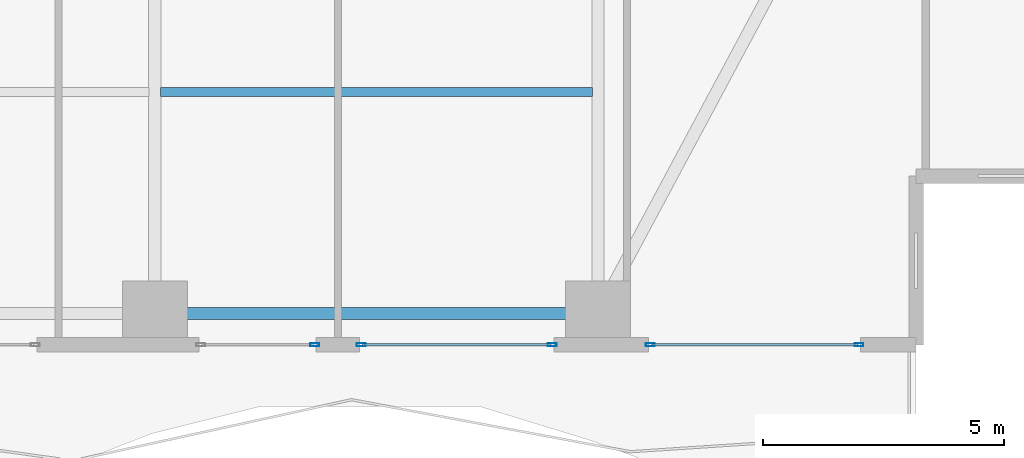
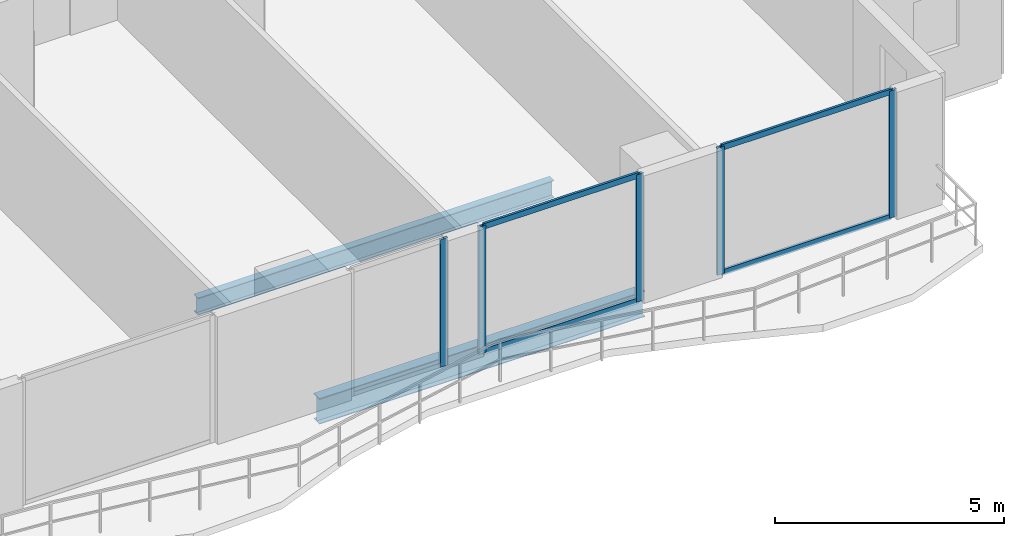
# One storey, part 9 of 29: 9 members, 2 beams, 3 elements without a shape of their own.
"""IFC4 building model written with IfcOpenShell, lengths in metres."""

from ifc_helpers import new_model, si_unit, direction, frame, origin, origin_2d, place, context, subcontext, project, spatial, hollow_rectangle, i_section, extrude, material, layer, layer_set, material_profile, profile_set, type_object, element, aggregate, save


model = new_model("IFC4")

# Units and contexts
model_context = context("Model", 3, precision=1e-05, world=origin(), true_north=direction((0.0, 1.0)))
body_context = subcontext(model_context, "Body", "Model", "MODEL_VIEW")
ifc_project = project(units=[si_unit("LENGTHUNIT", "METRE"), si_unit("AREAUNIT", "SQUARE_METRE"), si_unit("VOLUMEUNIT", "CUBIC_METRE"), si_unit("PLANEANGLEUNIT", "RADIAN"), si_unit("MASSUNIT", "GRAM", prefix="KILO")], contexts=[model_context])

# Site, building, storey
site_placement = place(None, origin())
site = spatial("IfcSite", under=ifc_project, at=site_placement, CompositionType="ELEMENT")
building_placement = place(site_placement, origin())
building = spatial("IfcBuilding", under=site, at=building_placement, Name="Zuhayl Quay Hotel", CompositionType="ELEMENT")
storey_placement = place(building_placement, frame((0.0, 0.0, 158.550048828125)))
storey = spatial("IfcBuildingStorey", under=building, at=storey_placement, Name="L40", CompositionType="ELEMENT", Elevation=158.550048828125)

# Beams
ifc_material_1 = material(Name="Steel ASTM A992 Grade 50", Category="steel")
ifc_material_profile_1 = material_profile(ifc_material_1, i_section(OverallWidth=0.25390625, OverallDepth=0.68310546875, WebThickness=0.012451171875, FlangeThickness=0.018798828125, at=origin_2d()), Name="W27X94")
ifc_profile_set_1 = profile_set([ifc_material_profile_1], Name="Steel ASTM A992 Grade 50")
beam_type_1 = type_object("IfcBeamType", Name="BM_B2_W27X94", PredefinedType="BEAM", material=ifc_profile_set_1)
beam_1_placement = place(storey_placement, frame((5.10009765625, -14.75, -0.5615234375), z_axis=(1.0, 0.0, 0.0), x_axis=(0.0, 1.0, 0.0)))
element("IfcBeam", 1, at=beam_1_placement, inside=storey, type_object=beam_type_1, Name="L40 Floor Beam RG_L40_03", PredefinedType="BEAM", context=body_context, shape_type="SweptSolid", body=[
    extrude(i_section(OverallWidth=0.25390625, OverallDepth=0.68310546875, WebThickness=0.012451171875, FlangeThickness=0.018798828125, at=origin_2d()), origin(), (0.0, 0.0, 1.0), 8.199951171875),
])
ifc_material_profile_2 = material_profile(ifc_material_1, i_section(OverallWidth=0.18994140625, OverallDepth=0.45703125, WebThickness=0.009033203125, FlangeThickness=0.014404296875, at=origin_2d()), Name="W18X50")
ifc_profile_set_2 = profile_set([ifc_material_profile_2], Name="Steel ASTM A992 Grade 50")
beam_type_2 = type_object("IfcBeamType", Name="BM_J2_W18X50", PredefinedType="JOIST", material=ifc_profile_set_2)
beam_2_placement = place(storey_placement, frame((4.718994140625, -10.14990234375, -0.448486328125), z_axis=(1.0, 0.0, 0.0), x_axis=(0.0, 1.0, 0.0)))
element("IfcBeam", 2, at=beam_2_placement, inside=storey, type_object=beam_type_2, Name="L40 Floor Beam FJ_L40_5_3", PredefinedType="JOIST", context=body_context, shape_type="SweptSolid", body=[
    extrude(i_section(OverallWidth=0.18994140625, OverallDepth=0.45703125, WebThickness=0.009033203125, FlangeThickness=0.014404296875, at=origin_2d()), origin(), (0.0, 0.0, 1.0), 8.9619140625),
])

# Curtain wall, members
ifc_material_2 = material(Name="Anodised Aluminium 6063-T6", Category="aluminium")
ifc_layer = layer(ifc_material_2, 0.179931640625, Name="Anodised Aluminium 6063-T6", Category="aluminium")
ifc_layer_set = layer_set([ifc_layer], Name="Anodised Aluminium 6063-T6")
curtain_wall_type = type_object("IfcCurtainWallType", Name="CW_SYS_Z2", PredefinedType="USERDEFINED", material=ifc_layer_set)
curtain_wall_1_placement = place(storey_placement, origin())
curtain_wall_1 = element("IfcCurtainWall", 3, at=curtain_wall_1_placement, inside=storey, type_object=curtain_wall_type, Name="L40 Curtain Wall ENV_L40_S_CW1", ObjectType="UNITISED CURTAIN WALL", PredefinedType="USERDEFINED")
ifc_material_3 = material(Name="Black-anodised aluminium 6063-T6", Category="aluminium")
ifc_material_profile_3 = material_profile(ifc_material_3, hollow_rectangle(XDim=0.06494140625, YDim=0.179931640625, WallThickness=0.00341796875, at=origin_2d()), Name="ALU180X65")
ifc_profile_set_3 = profile_set([ifc_material_profile_3], Name="Black-anodised aluminium 6063-T6")
member_type_1 = type_object("IfcMemberType", Name="MB_CW_MUL_180", PredefinedType="MULLION", material=ifc_profile_set_3)
member_1_placement = place(storey_placement, frame((19.217529296875, -15.39990234375, 0.0), z_axis=(0.0, 0.0, 1.0), x_axis=(0.0, -1.0, 0.0)))
member_1 = element("IfcMember", 4, at=member_1_placement, type_object=member_type_1, Name="CW-Z2 mullion 1", PredefinedType="MULLION", context=body_context, shape_type="SweptSolid", body=[
    extrude(hollow_rectangle(XDim=0.06494140625, YDim=0.179931640625, WallThickness=0.00341796875, at=origin_2d()), origin(), (0.0, 0.0, 1.0), 3.389892578125),
])
member_2_placement = place(storey_placement, frame((14.882568359375, -15.39990234375, 0.0), z_axis=(0.0, 0.0, 1.0), x_axis=(0.0, -1.0, 0.0)))
member_2 = element("IfcMember", 5, at=member_2_placement, type_object=member_type_1, Name="CW-Z2 mullion 2", PredefinedType="MULLION", context=body_context, shape_type="SweptSolid", body=[
    extrude(hollow_rectangle(XDim=0.06494140625, YDim=0.179931640625, WallThickness=0.00341796875, at=origin_2d()), origin(), (0.0, 0.0, 1.0), 3.389892578125),
])

curtain_wall_2_placement = place(storey_placement, origin())
curtain_wall_2 = element("IfcCurtainWall", 6, at=curtain_wall_2_placement, inside=storey, type_object=curtain_wall_type, Name="L40 Curtain Wall ENV_L40_S_CW2", ObjectType="UNITISED CURTAIN WALL", PredefinedType="USERDEFINED")
member_3_placement = place(storey_placement, frame((12.847412109375, -15.39990234375, 0.0), z_axis=(0.0, 0.0, 1.0), x_axis=(0.0, -1.0, 0.0)))
member_3 = element("IfcMember", 7, at=member_3_placement, type_object=member_type_1, Name="CW-Z2 mullion 1", PredefinedType="MULLION", context=body_context, shape_type="SweptSolid", body=[
    extrude(hollow_rectangle(XDim=0.06494140625, YDim=0.179931640625, WallThickness=0.00341796875, at=origin_2d()), origin(), (0.0, 0.0, 1.0), 3.389892578125),
])
member_4_placement = place(storey_placement, frame((8.882568359375, -15.39990234375, 0.0), z_axis=(0.0, 0.0, 1.0), x_axis=(0.0, -1.0, 0.0)))
member_4 = element("IfcMember", 8, at=member_4_placement, type_object=member_type_1, Name="CW-Z2 mullion 2", PredefinedType="MULLION", context=body_context, shape_type="SweptSolid", body=[
    extrude(hollow_rectangle(XDim=0.06494140625, YDim=0.179931640625, WallThickness=0.00341796875, at=origin_2d()), origin(), (0.0, 0.0, 1.0), 3.389892578125),
])

# Curtain wall, member
curtain_wall_3_placement = place(storey_placement, origin())
curtain_wall_3 = element("IfcCurtainWall", 9, at=curtain_wall_3_placement, inside=storey, type_object=curtain_wall_type, Name="L40 Curtain Wall ENV_L40_S_CW3", ObjectType="UNITISED CURTAIN WALL", PredefinedType="USERDEFINED")
member_5_placement = place(storey_placement, frame((7.91748046875, -15.39990234375, 0.0), z_axis=(0.0, 0.0, 1.0), x_axis=(0.0, -1.0, 0.0)))
member_5 = element("IfcMember", 10, at=member_5_placement, type_object=member_type_1, Name="CW-Z2 mullion 1", PredefinedType="MULLION", context=body_context, shape_type="SweptSolid", body=[
    extrude(hollow_rectangle(XDim=0.06494140625, YDim=0.179931640625, WallThickness=0.00341796875, at=origin_2d()), origin(), (0.0, 0.0, 1.0), 3.389892578125),
])
aggregate(curtain_wall_3, [member_5])

# Member
ifc_material_profile_4 = material_profile(ifc_material_3, hollow_rectangle(XDim=0.06005859375, YDim=0.14990234375, WallThickness=0.00341796875, at=origin_2d()), Name="ALU150X60")
ifc_profile_set_4 = profile_set([ifc_material_profile_4], Name="Black-anodised aluminium 6063-T6")
member_type_2 = type_object("IfcMemberType", Name="MB_CW_TRN_150", PredefinedType="USERDEFINED", material=ifc_profile_set_4)
member_6_placement = place(storey_placement, frame((19.18505859375, -15.39990234375, 0.030029296875), z_axis=(-1.0, 0.0, 0.0), x_axis=(0.0, -1.0, 0.0)))
member_6 = element("IfcMember", 11, at=member_6_placement, type_object=member_type_2, Name="CW-Z2 transom 1.1", ObjectType="TRANSOM", PredefinedType="USERDEFINED", context=body_context, shape_type="SweptSolid", body=[
    extrude(hollow_rectangle(XDim=0.06005859375, YDim=0.14990234375, WallThickness=0.00341796875, at=origin_2d()), origin(), (0.0, 0.0, 1.0), 4.27001953125),
])

member_7_placement = place(storey_placement, frame((19.18505859375, -15.39990234375, 3.35986328125), z_axis=(-1.0, 0.0, 0.0), x_axis=(0.0, -1.0, 0.0)))
member_7 = element("IfcMember", 12, at=member_7_placement, type_object=member_type_2, Name="CW-Z2 transom 1.2", ObjectType="TRANSOM", PredefinedType="USERDEFINED", context=body_context, shape_type="SweptSolid", body=[
    extrude(hollow_rectangle(XDim=0.06005859375, YDim=0.14990234375, WallThickness=0.00341796875, at=origin_2d()), origin(), (0.0, 0.0, 1.0), 4.27001953125),
])

aggregate(curtain_wall_1, [member_1, member_2, member_6, member_7])

member_8_placement = place(storey_placement, frame((12.81494140625, -15.39990234375, 0.030029296875), z_axis=(-1.0, 0.0, 0.0), x_axis=(0.0, -1.0, 0.0)))
member_8 = element("IfcMember", 13, at=member_8_placement, type_object=member_type_2, Name="CW-Z2 transom 1.1", ObjectType="TRANSOM", PredefinedType="USERDEFINED", context=body_context, shape_type="SweptSolid", body=[
    extrude(hollow_rectangle(XDim=0.06005859375, YDim=0.14990234375, WallThickness=0.00341796875, at=origin_2d()), origin(), (0.0, 0.0, 1.0), 3.89990234375),
])

member_9_placement = place(storey_placement, frame((12.81494140625, -15.39990234375, 3.35986328125), z_axis=(-1.0, 0.0, 0.0), x_axis=(0.0, -1.0, 0.0)))
member_9 = element("IfcMember", 14, at=member_9_placement, type_object=member_type_2, Name="CW-Z2 transom 1.2", ObjectType="TRANSOM", PredefinedType="USERDEFINED", context=body_context, shape_type="SweptSolid", body=[
    extrude(hollow_rectangle(XDim=0.06005859375, YDim=0.14990234375, WallThickness=0.00341796875, at=origin_2d()), origin(), (0.0, 0.0, 1.0), 3.89990234375),
])

aggregate(curtain_wall_2, [member_3, member_4, member_8, member_9])

save(model, "model.ifc")
